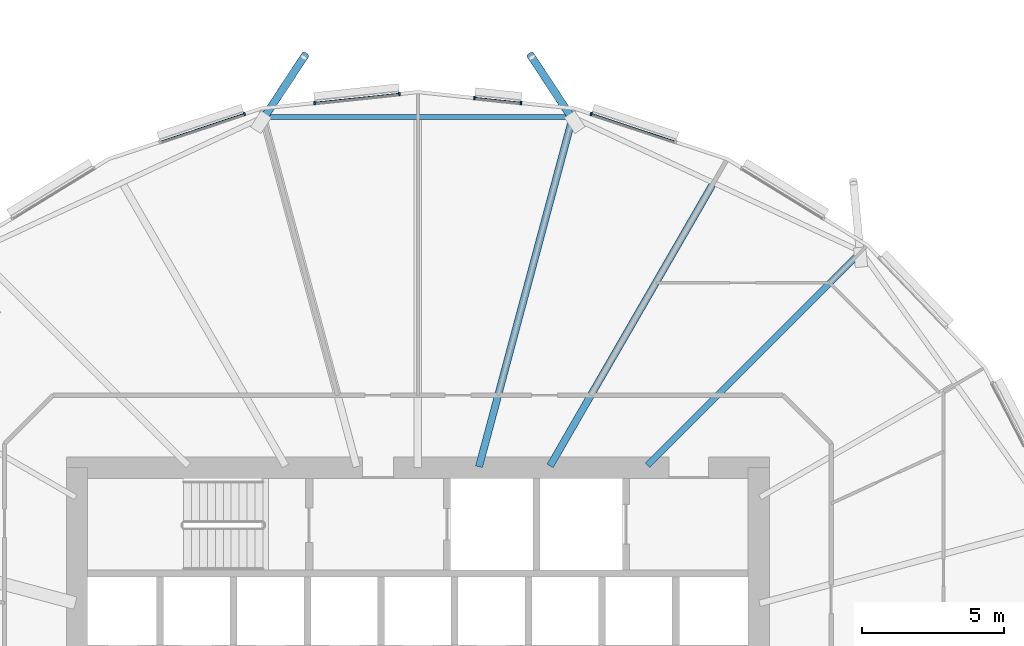
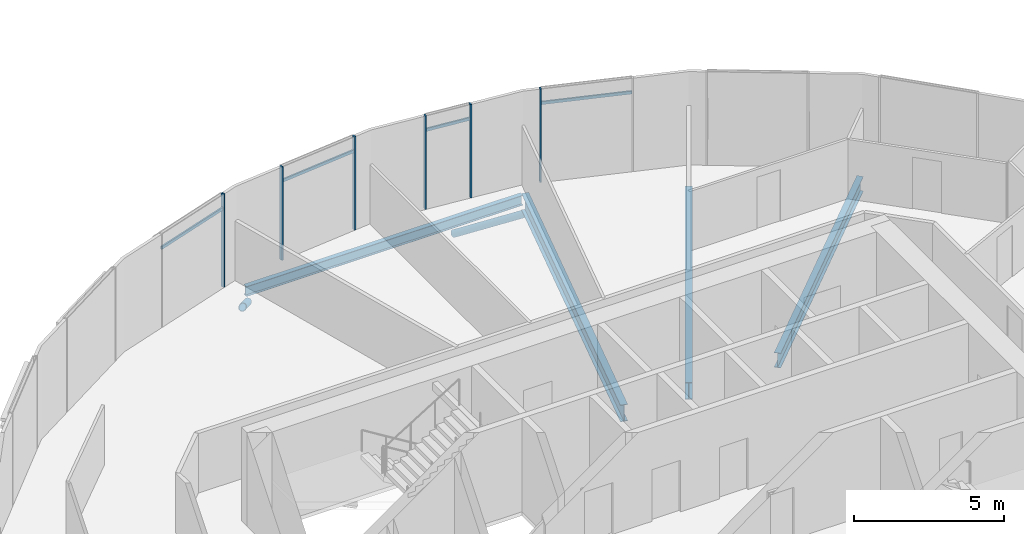
# One storey, part 10 of 40: 12 members, 4 beams, 1 element without a shape of its own.
"""IFC4 building model written with IfcOpenShell, lengths in metres."""

from ifc_helpers import new_model, si_unit, direction, frame, origin, origin_2d, place, context, subcontext, project, spatial, rectangle, hollow_circle, i_section, extrude, clip, halfspace, material, material_profile, profile_set, type_object, element, aggregate, save


model = new_model("IFC4")

# Units and contexts
model_context = context("Model", 3, precision=1e-05, world=origin(), true_north=direction((0.0, 1.0)))
body_context = subcontext(model_context, "Body", "Model", "MODEL_VIEW")
ifc_project = project(units=[si_unit("LENGTHUNIT", "METRE"), si_unit("AREAUNIT", "SQUARE_METRE"), si_unit("VOLUMEUNIT", "CUBIC_METRE"), si_unit("PLANEANGLEUNIT", "RADIAN"), si_unit("MASSUNIT", "GRAM", prefix="KILO")], contexts=[model_context])

# Site, building, storey
site_placement = place(None, origin())
site = spatial("IfcSite", under=ifc_project, at=site_placement, CompositionType="ELEMENT")
building_placement = place(site_placement, origin())
building = spatial("IfcBuilding", under=site, at=building_placement, Name="Rimbun Link Towers", CompositionType="ELEMENT")
storey_placement = place(building_placement, frame((0.0, 0.0, 89.199951171875)))
storey = spatial("IfcBuildingStorey", under=building, at=storey_placement, Name="L21", CompositionType="ELEMENT", Elevation=89.199951171875)

# Curtain wall, members
ifc_material_1 = material(Name="Aluminium 6063-T6 and low-iron glass", Category="aluminium")
curtain_wall_type = type_object("IfcCurtainWallType", Name="CW1-Z2 unitised vision wall (zone 2)", PredefinedType="NOTDEFINED", material=ifc_material_1)
curtain_wall_placement = place(storey_placement, origin())
curtain_wall = element("IfcCurtainWall", 1, at=curtain_wall_placement, inside=storey, type_object=curtain_wall_type, Name="CW1 L21 T1", PredefinedType="NOTDEFINED")
ifc_material_2 = material(Name="Aluminium 6063-T6", Category="aluminium")
ifc_material_profile_1 = material_profile(ifc_material_2, rectangle(XDim=0.1201171875, YDim=0.06005859375, at=origin_2d()), Name="MULLION 60X120")
ifc_profile_set_1 = profile_set([ifc_material_profile_1], Name="Aluminium 6063-T6")
member_type_1 = type_object("IfcMemberType", Name="CW1 mullion 60X120", PredefinedType="MULLION", material=ifc_profile_set_1)
member_1_placement = place(storey_placement, frame((-25.645751953125, 20.453369140625, 0.0), z_axis=(0.0, 0.0, 1.0), x_axis=(0.314576015911, 0.949232284646, 0.0)))
member_1 = element("IfcMember", 2, at=member_1_placement, type_object=member_type_1, Name="CW1 mullion", PredefinedType="MULLION", context=body_context, shape_type="SweptSolid", body=[
    extrude(rectangle(XDim=0.1201171875, YDim=0.06005859375, at=origin_2d()), origin(), (0.0, 0.0, 1.0), 3.800048828125),
])
member_2_placement = place(storey_placement, frame((-29.754638671875, 21.01611328125, 0.0), z_axis=(0.0, 0.0, 1.0), x_axis=(0.104736404583, 0.994500017876, 0.0)))
member_2 = element("IfcMember", 3, at=member_2_placement, type_object=member_type_1, Name="CW1 mullion", PredefinedType="MULLION", context=body_context, shape_type="SweptSolid", body=[
    extrude(rectangle(XDim=0.1201171875, YDim=0.06005859375, at=origin_2d()), origin(), (0.0, 0.0, 1.0), 3.800048828125),
])
member_3_placement = place(storey_placement, frame((-28.117431640625, 20.84375, 0.0), z_axis=(0.0, 0.0, 1.0), x_axis=(0.104736404583, 0.994500017876, 0.0)))
member_3 = element("IfcMember", 4, at=member_3_placement, type_object=member_type_1, Name="CW1 mullion", PredefinedType="MULLION", context=body_context, shape_type="SweptSolid", body=[
    extrude(rectangle(XDim=0.1201171875, YDim=0.06005859375, at=origin_2d()), origin(), (0.0, 0.0, 1.0), 3.800048828125),
])
member_4_placement = place(storey_placement, frame((-35.382568359375, 20.84375, 0.0), z_axis=(0.0, 0.0, 1.0), x_axis=(-0.104736404583, 0.994500017876, 0.0)))
member_4 = element("IfcMember", 5, at=member_4_placement, type_object=member_type_1, Name="CW1 mullion", PredefinedType="MULLION", context=body_context, shape_type="SweptSolid", body=[
    extrude(rectangle(XDim=0.1201171875, YDim=0.06005859375, at=origin_2d()), origin(), (0.0, 0.0, 1.0), 3.800048828125),
])
member_5_placement = place(storey_placement, frame((-32.402587890625, 21.157470703125, 0.0), z_axis=(0.0, 0.0, 1.0), x_axis=(-0.104736404583, 0.994500017876, 0.0)))
member_5 = element("IfcMember", 6, at=member_5_placement, type_object=member_type_1, Name="CW1 mullion", PredefinedType="MULLION", context=body_context, shape_type="SweptSolid", body=[
    extrude(rectangle(XDim=0.1201171875, YDim=0.06005859375, at=origin_2d()), origin(), (0.0, 0.0, 1.0), 3.800048828125),
])
member_6_placement = place(storey_placement, frame((-37.854248046875, 20.453369140625, 0.0), z_axis=(0.0, 0.0, 1.0), x_axis=(-0.314576015911, 0.949232284646, 0.0)))
member_6 = element("IfcMember", 7, at=member_6_placement, type_object=member_type_1, Name="CW1 mullion", PredefinedType="MULLION", context=body_context, shape_type="SweptSolid", body=[
    extrude(rectangle(XDim=0.1201171875, YDim=0.06005859375, at=origin_2d()), origin(), (0.0, 0.0, 1.0), 3.800048828125),
])
ifc_material_3 = material(Name="Aluminium 6063-T6", Category="aluminium")
ifc_material_profile_2 = material_profile(ifc_material_3, rectangle(XDim=0.06005859375, YDim=0.1201171875, at=origin_2d()), Name="TRANSOM 60X120")
ifc_profile_set_2 = profile_set([ifc_material_profile_2], Name="Aluminium 6063-T6")
member_type_2 = type_object("IfcMemberType", Name="CW1 transom 60X120", PredefinedType="USERDEFINED", material=ifc_profile_set_2)
member_7_placement = place(storey_placement, frame((-25.617919921875, 20.44189453125, 3.199951171875), z_axis=(0.949238148414, -0.314558321452, 0.0), x_axis=(0.314558321452, 0.949238148414, 0.0)))
member_7 = element("IfcMember", 8, at=member_7_placement, type_object=member_type_2, Name="CW1 transom", ObjectType="TRANSOM", PredefinedType="USERDEFINED", context=body_context, shape_type="SweptSolid", body=[
    extrude(rectangle(XDim=0.06005859375, YDim=0.1201171875, at=origin_2d()), origin(), (0.0, 0.0, 1.0), 3.072021484375),
])
member_8_placement = place(storey_placement, frame((-29.72509765625, 21.010986328125, 3.199951171875), z_axis=(0.99450882558, -0.104652739306, 0.0), x_axis=(0.104652739306, 0.99450882558, 0.0)))
member_8 = element("IfcMember", 9, at=member_8_placement, type_object=member_type_2, Name="CW1 transom", ObjectType="TRANSOM", PredefinedType="USERDEFINED", context=body_context, shape_type="SweptSolid", body=[
    extrude(rectangle(XDim=0.06005859375, YDim=0.1201171875, at=origin_2d()), origin(), (0.0, 0.0, 1.0), 1.58642578125),
])
member_9_placement = place(storey_placement, frame((-35.3525390625, 20.844970703125, 3.199951171875), z_axis=(0.994505908505, 0.104680456384, 0.0), x_axis=(-0.104680456384, 0.994505908505, 0.0)))
member_9 = element("IfcMember", 10, at=member_9_placement, type_object=member_type_2, Name="CW1 transom", ObjectType="TRANSOM", PredefinedType="USERDEFINED", context=body_context, shape_type="SweptSolid", body=[
    extrude(rectangle(XDim=0.06005859375, YDim=0.1201171875, at=origin_2d()), origin(), (0.0, 0.0, 1.0), 2.936279296875),
])
member_10_placement = place(storey_placement, frame((-40.798095703125, 19.4755859375, 3.199951171875), z_axis=(0.949238148414, 0.314558321452, 0.0), x_axis=(-0.314558321452, 0.949238148414, 0.0)))
member_10 = element("IfcMember", 11, at=member_10_placement, type_object=member_type_2, Name="CW1 transom", ObjectType="TRANSOM", PredefinedType="USERDEFINED", context=body_context, shape_type="SweptSolid", body=[
    extrude(rectangle(XDim=0.06005859375, YDim=0.1201171875, at=origin_2d()), origin(), (0.0, 0.0, 1.0), 3.072021484375),
])
aggregate(curtain_wall, [member_1, member_2, member_3, member_4, member_5, member_6, member_7, member_8, member_9, member_10])

# Members
ifc_material_4 = material(Name="Steel S355J2H", Category="steel")
ifc_material_profile_3 = material_profile(ifc_material_4, hollow_circle(Radius=0.136474609375, WallThickness=0.012451171875, at=origin_2d()), Name="CHS 273x12.5")
ifc_profile_set_3 = profile_set([ifc_material_profile_3], Name="Steel S355J2H")
member_type_3 = type_object("IfcMemberType", Name="Floor edge link CHS 273x12.5", PredefinedType="BRACE", material=ifc_profile_set_3)
for number, where, z_axis, x_axis, name in (
    (12, (-26.312744140625, 20.292236328125, -0.95947265625), (-0.467316058964, 0.708927418597, -0.528240112256), (-0.834921165179, -0.550369555785, 0.0), "Floor edge link T1 L21 05"),
    (13, (-37.187255859375, 20.292236328125, -0.95947265625), (0.467316058964, 0.708927418597, -0.528240112256), (-0.834921165179, 0.550369555785, 0.0), "Floor edge link T1 L21 07"),
):
    element("IfcMember", number, at=place(storey_placement, frame(where, z_axis=z_axis, x_axis=x_axis)), inside=storey, type_object=member_type_3, Name=name, PredefinedType="BRACE", context=body_context, shape_type="Clipping", body=[
        clip(extrude(hollow_circle(Radius=0.136474609375, WallThickness=0.012451171875, at=origin_2d()), frame((0.0, 0.0, -0.457763671875)), (0.0, 0.0, 1.0), 3.619384765625), halfspace(frame((0.0, 0.0, -0.2158203125), z_axis=(0.0, 0.849095038146, -0.528240112256)), False)),
    ])

# Beams
ifc_material_5 = material(Name="Steel S355J2", Category="steel")
ifc_material_profile_4 = material_profile(ifc_material_5, i_section(OverallWidth=0.177978515625, OverallDepth=0.406494140625, WebThickness=0.0078125, FlangeThickness=0.0126953125, at=origin_2d()), Name="UB 406x178x60")
ifc_profile_set_4 = profile_set([ifc_material_profile_4], Name="Steel S355J2")
beam_type_1 = type_object("IfcBeamType", Name="UB 406x178x60", PredefinedType="BEAM", material=ifc_profile_set_4)
beam_1_placement = place(storey_placement, frame((-26.43212890625, 20.340576171875, -0.363037109375), z_axis=(-1.0, 0.0, 0.0), x_axis=(0.0, -1.0, 0.0)))
element("IfcBeam", 14, at=beam_1_placement, inside=storey, type_object=beam_type_1, Name="Edge beam T1 L21 05-07", PredefinedType="BEAM", context=body_context, shape_type="SweptSolid", body=[
    extrude(i_section(OverallWidth=0.177978515625, OverallDepth=0.406494140625, WebThickness=0.0078125, FlangeThickness=0.0126953125, at=origin_2d()), origin(), (0.0, 0.0, 1.0), 10.6357421875),
])
ifc_material_6 = material(Name="Steel S355J2", Category="steel")
ifc_material_profile_5 = material_profile(ifc_material_6, i_section(OverallWidth=0.2275390625, OverallDepth=0.6025390625, WebThickness=0.010498046875, FlangeThickness=0.014892578125, at=origin_2d()), Name="UB 610x229x101")
ifc_profile_set_5 = profile_set([ifc_material_profile_5], Name="Steel S355J2")
beam_type_2 = type_object("IfcBeamType", Name="UB 610x229x101", PredefinedType="BEAM", material=ifc_profile_set_5)
beam_2_placement = place(storey_placement, frame((-23.668701171875, 8.081298828125, -0.461181640625), z_axis=(0.707106781187, 0.707106781187, 0.0), x_axis=(-0.707106781187, 0.707106781187, 0.0)))
element("IfcBeam", 15, at=beam_2_placement, inside=storey, type_object=beam_type_2, Name="Radial beam T1 L21 03", PredefinedType="BEAM", context=body_context, shape_type="SweptSolid", body=[
    extrude(i_section(OverallWidth=0.2275390625, OverallDepth=0.6025390625, WebThickness=0.010498046875, FlangeThickness=0.014892578125, at=origin_2d()), origin(), (0.0, 0.0, 1.0), 10.642578125),
])
ifc_material_7 = material(Name="Steel S355J2", Category="steel")
ifc_material_profile_6 = material_profile(ifc_material_7, i_section(OverallWidth=0.253662109375, OverallDepth=0.68359375, WebThickness=0.012451171875, FlangeThickness=0.01904296875, at=origin_2d()), Name="UB 686x254x140")
ifc_profile_set_6 = profile_set([ifc_material_profile_6], Name="Steel S355J2")
beam_type_3 = type_object("IfcBeamType", Name="UB 686x254x140", PredefinedType="BEAM", material=ifc_profile_set_6)
beam_3_placement = place(storey_placement, frame((-27.093994140625, 8.064208984375, -0.501708984375), z_axis=(0.499984701234, 0.866034236351, 0.0), x_axis=(-0.866034236351, 0.499984701234, 0.0)))
element("IfcBeam", 16, at=beam_3_placement, inside=storey, type_object=beam_type_3, Name="Radial beam T1 L21 04", PredefinedType="BEAM", context=body_context, shape_type="SweptSolid", body=[
    extrude(i_section(OverallWidth=0.253662109375, OverallDepth=0.68359375, WebThickness=0.012451171875, FlangeThickness=0.01904296875, at=origin_2d()), origin(), (0.0, 0.0, 1.0), 11.416259765625),
])
beam_4_placement = place(storey_placement, frame((-29.597412109375, 8.03369140625, -0.501708984375), z_axis=(0.258818136153, 0.965926069841, 0.0), x_axis=(-0.965926069841, 0.258818136153, 0.0)))
element("IfcBeam", 17, at=beam_4_placement, inside=storey, type_object=beam_type_3, Name="Radial beam T1 L21 05", PredefinedType="BEAM", context=body_context, shape_type="SweptSolid", body=[
    extrude(i_section(OverallWidth=0.253662109375, OverallDepth=0.68359375, WebThickness=0.012451171875, FlangeThickness=0.01904296875, at=origin_2d()), origin(), (0.0, 0.0, 1.0), 12.740966796875),
])

save(model, "model.ifc")
